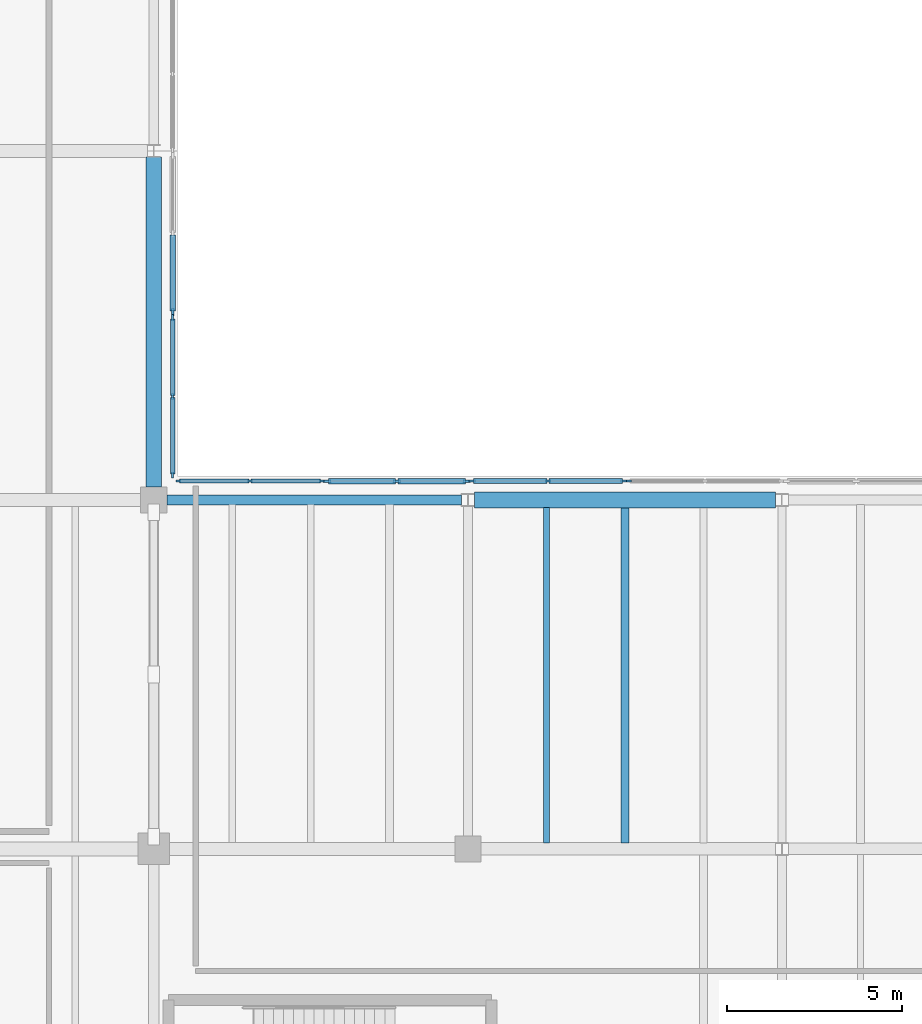
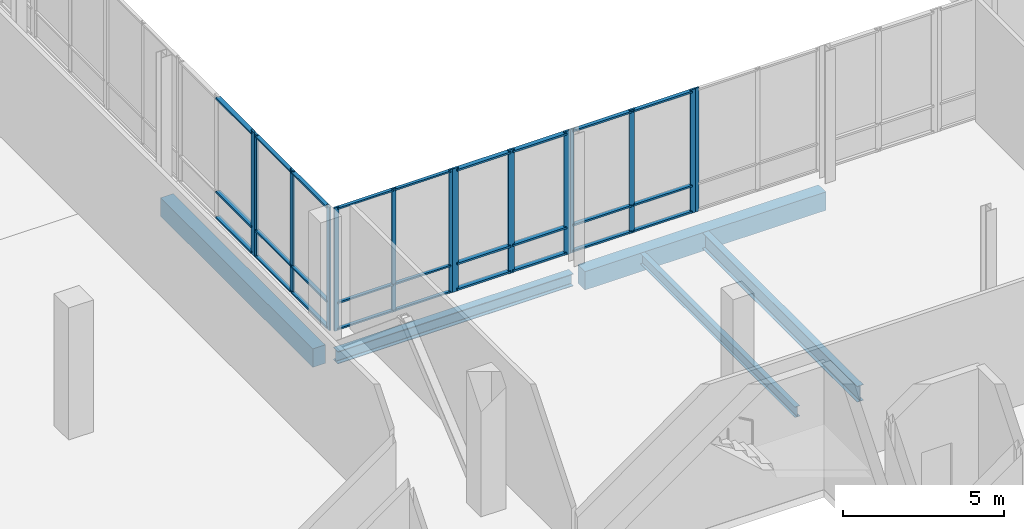
# One storey, part 22 of 81: 41 members, 5 beams, 6 elements without a shape of their own.
"""IFC4 building model written with IfcOpenShell, lengths in metres."""

from ifc_helpers import new_model, si_unit, direction, frame, origin, origin_2d, place, context, subcontext, project, spatial, rectangle, i_section, extrude, material, material_profile, profile_set, type_object, element, aggregate, save


model = new_model("IFC4")

# Units and contexts
model_context = context("Model", 3, precision=1e-05, world=origin(), true_north=direction((0.0, 1.0)))
body_context = subcontext(model_context, "Body", "Model", "MODEL_VIEW")
ifc_project = project(units=[si_unit("LENGTHUNIT", "METRE"), si_unit("AREAUNIT", "SQUARE_METRE"), si_unit("VOLUMEUNIT", "CUBIC_METRE"), si_unit("PLANEANGLEUNIT", "RADIAN"), si_unit("MASSUNIT", "GRAM", prefix="KILO")], contexts=[model_context])

# Site, building, storey
site_placement = place(None, origin())
site = spatial("IfcSite", under=ifc_project, at=site_placement, CompositionType="ELEMENT")
building_placement = place(site_placement, origin())
building = spatial("IfcBuilding", under=site, at=building_placement, Name="Trimount Lyric Opera House", CompositionType="ELEMENT")
storey_placement = place(building_placement, frame((0.0, 0.0, 5.0)))
storey = spatial("IfcBuildingStorey", under=building, at=storey_placement, Name="L01", CompositionType="ELEMENT", Elevation=5.0)

# Beams
ifc_material_1 = material(Name="Steel ASTM A992 Grade 50", Category="steel")
ifc_material_profile_1 = material_profile(ifc_material_1, i_section(OverallWidth=0.22802734375, OverallDepth=0.60205078125, WebThickness=0.010498046875, FlangeThickness=0.014892578125, FilletRadius=0.012939453125, at=origin_2d()), Name="W24X68")
ifc_profile_set_1 = profile_set([ifc_material_profile_1], Name="Steel ASTM A992 Grade 50")
beam_type_1 = type_object("IfcBeamType", Name="J-01", PredefinedType="BEAM", material=ifc_profile_set_1)
beam_1_placement = place(storey_placement, frame((31.5, 64.174072265625, -0.5810546875), z_axis=(0.0, 1.0, 0.0), x_axis=(-1.0, 0.0, 0.0)))
element("IfcBeam", 1, at=beam_1_placement, inside=storey, type_object=beam_type_1, Name="L01 composite floor joist 0613", PredefinedType="BEAM", context=body_context, shape_type="SweptSolid", body=[
    extrude(i_section(OverallWidth=0.22802734375, OverallDepth=0.60205078125, WebThickness=0.010498046875, FlangeThickness=0.014892578125, FilletRadius=0.012939453125, at=origin_2d()), origin(), (0.0, 0.0, 1.0), 9.60498046875),
])
ifc_material_2 = material(Name="Steel ASTM A992 Grade 50", Category="steel")
ifc_material_profile_2 = material_profile(ifc_material_2, i_section(OverallWidth=0.177978515625, OverallDepth=0.404052734375, WebThickness=0.007568359375, FlangeThickness=0.010986328125, FilletRadius=0.010009765625, at=origin_2d()), Name="W16X36")
ifc_profile_set_2 = profile_set([ifc_material_profile_2], Name="Steel ASTM A992 Grade 50")
beam_type_2 = type_object("IfcBeamType", Name="J-06", PredefinedType="BEAM", material=ifc_profile_set_2)
beam_2_placement = place(storey_placement, frame((29.25, 64.174072265625, -0.48193359375), z_axis=(0.0, 1.0, 0.0), x_axis=(-1.0, 0.0, 0.0)))
element("IfcBeam", 2, at=beam_2_placement, inside=storey, type_object=beam_type_2, Name="L01 composite floor joist 0612", PredefinedType="BEAM", context=body_context, shape_type="SweptSolid", body=[
    extrude(i_section(OverallWidth=0.177978515625, OverallDepth=0.404052734375, WebThickness=0.007568359375, FlangeThickness=0.010986328125, FilletRadius=0.010009765625, at=origin_2d()), origin(), (0.0, 0.0, 1.0), 9.60498046875),
])

# Curtain wall, members
ifc_material_3 = material(Name="Thermally Broken Aluminium and Low-E Glass", Category="aluminium")
curtain_wall_type = type_object("IfcCurtainWallType", Name="CW-03", PredefinedType="NOTDEFINED", material=ifc_material_3)
curtain_wall_1_placement = place(storey_placement, origin())
curtain_wall_1 = element("IfcCurtainWall", 3, at=curtain_wall_1_placement, inside=storey, type_object=curtain_wall_type, Name="L01 curtain wall 144", PredefinedType="NOTDEFINED")
ifc_material_4 = material(Name="Anodised Aluminium 6063-T6", Category="aluminium")
ifc_material_profile_3 = material_profile(ifc_material_4, rectangle(XDim=0.070068359375, YDim=0.219970703125, at=origin_2d()), Name="ALU-MULL-70X220")
ifc_profile_set_3 = profile_set([ifc_material_profile_3], Name="Anodised Aluminium 6063-T6")
member_type_1 = type_object("IfcMemberType", Name="ML-01", PredefinedType="MULLION", material=ifc_profile_set_3)
member_1_placement = place(storey_placement, frame((22.965087890625, 74.5400390625, 0.0), z_axis=(0.0, 0.0, 1.0), x_axis=(0.0, 1.0, 0.0)))
member_1 = element("IfcMember", 4, at=member_1_placement, type_object=member_type_1, Name="CW-03 mullion 1", PredefinedType="MULLION", context=body_context, shape_type="SweptSolid", body=[
    extrude(rectangle(XDim=0.070068359375, YDim=0.219970703125, at=origin_2d()), origin(), (0.0, 0.0, 1.0), 4.679931640625),
])
member_2_placement = place(storey_placement, frame((24.965087890625, 74.5400390625, 0.0), z_axis=(0.0, 0.0, 1.0), x_axis=(0.0, 1.0, 0.0)))
member_2 = element("IfcMember", 5, at=member_2_placement, type_object=member_type_1, Name="CW-03 mullion 2", PredefinedType="MULLION", context=body_context, shape_type="SweptSolid", body=[
    extrude(rectangle(XDim=0.070068359375, YDim=0.219970703125, at=origin_2d()), origin(), (0.0, 0.0, 1.0), 4.679931640625),
])
member_3_placement = place(storey_placement, frame((26.965087890625, 74.5400390625, 0.0), z_axis=(0.0, 0.0, 1.0), x_axis=(0.0, 1.0, 0.0)))
member_3 = element("IfcMember", 6, at=member_3_placement, type_object=member_type_1, Name="CW-03 mullion 3", PredefinedType="MULLION", context=body_context, shape_type="SweptSolid", body=[
    extrude(rectangle(XDim=0.070068359375, YDim=0.219970703125, at=origin_2d()), origin(), (0.0, 0.0, 1.0), 4.679931640625),
])

# Curtain wall, member
curtain_wall_2_placement = place(storey_placement, origin())
curtain_wall_2 = element("IfcCurtainWall", 7, at=curtain_wall_2_placement, inside=storey, type_object=curtain_wall_type, Name="L01 curtain wall 165", PredefinedType="NOTDEFINED")
member_4_placement = place(storey_placement, frame((18.5400390625, 79.375, 0.0), z_axis=(0.0, 0.0, 1.0), x_axis=(1.0, 0.0, 0.0)))
member_4 = element("IfcMember", 8, at=member_4_placement, type_object=member_type_1, Name="CW-03 mullion 3", PredefinedType="MULLION", context=body_context, shape_type="SweptSolid", body=[
    extrude(rectangle(XDim=0.070068359375, YDim=0.219970703125, at=origin_2d()), origin(), (0.0, 0.0, 1.0), 4.679931640625),
])

# Curtain wall, members
curtain_wall_3_placement = place(storey_placement, origin())
curtain_wall_3 = element("IfcCurtainWall", 9, at=curtain_wall_3_placement, inside=storey, type_object=curtain_wall_type, Name="L01 curtain wall 145", PredefinedType="NOTDEFINED")
ifc_material_5 = material(Name="Anodised Aluminium 6063-T6", Category="aluminium")
ifc_material_profile_4 = material_profile(ifc_material_5, rectangle(XDim=0.06494140625, YDim=0.179931640625, at=origin_2d()), Name="ALU-MULL-65X180")
ifc_profile_set_4 = profile_set([ifc_material_profile_4], Name="Anodised Aluminium 6063-T6")
member_type_2 = type_object("IfcMemberType", Name="ML-02", PredefinedType="MULLION", material=ifc_profile_set_4)
member_5_placement = place(storey_placement, frame((27.12255859375, 74.5400390625, 0.0), z_axis=(0.0, 0.0, 1.0), x_axis=(0.0, 1.0, 0.0)))
member_5 = element("IfcMember", 10, at=member_5_placement, type_object=member_type_2, Name="CW-03 mullion 1", PredefinedType="MULLION", context=body_context, shape_type="SweptSolid", body=[
    extrude(rectangle(XDim=0.06494140625, YDim=0.179931640625, at=origin_2d()), origin(), (0.0, 0.0, 1.0), 4.679931640625),
])
member_6_placement = place(storey_placement, frame((29.294921875, 74.5400390625, 0.0), z_axis=(0.0, 0.0, 1.0), x_axis=(0.0, 1.0, 0.0)))
member_6 = element("IfcMember", 11, at=member_6_placement, type_object=member_type_2, Name="CW-03 mullion 2", PredefinedType="MULLION", context=body_context, shape_type="SweptSolid", body=[
    extrude(rectangle(XDim=0.06494140625, YDim=0.179931640625, at=origin_2d()), origin(), (0.0, 0.0, 1.0), 4.679931640625),
])
member_7_placement = place(storey_placement, frame((31.467529296875, 74.5400390625, 0.0), z_axis=(0.0, 0.0, 1.0), x_axis=(0.0, 1.0, 0.0)))
member_7 = element("IfcMember", 12, at=member_7_placement, type_object=member_type_2, Name="CW-03 mullion 3", PredefinedType="MULLION", context=body_context, shape_type="SweptSolid", body=[
    extrude(rectangle(XDim=0.06494140625, YDim=0.179931640625, at=origin_2d()), origin(), (0.0, 0.0, 1.0), 4.679931640625),
])

curtain_wall_4_placement = place(storey_placement, origin())
curtain_wall_4 = element("IfcCurtainWall", 13, at=curtain_wall_4_placement, inside=storey, type_object=curtain_wall_type, Name="L01 curtain wall 166", PredefinedType="NOTDEFINED")
member_8_placement = place(storey_placement, frame((18.5400390625, 79.217529296875, 0.0), z_axis=(0.0, 0.0, 1.0), x_axis=(1.0, 0.0, 0.0)))
member_8 = element("IfcMember", 14, at=member_8_placement, type_object=member_type_2, Name="CW-03 mullion 1", PredefinedType="MULLION", context=body_context, shape_type="SweptSolid", body=[
    extrude(rectangle(XDim=0.06494140625, YDim=0.179931640625, at=origin_2d()), origin(), (0.0, 0.0, 1.0), 4.679931640625),
])
member_9_placement = place(storey_placement, frame((18.5400390625, 76.965087890625, 0.0), z_axis=(0.0, 0.0, 1.0), x_axis=(1.0, 0.0, 0.0)))
member_9 = element("IfcMember", 15, at=member_9_placement, type_object=member_type_2, Name="CW-03 mullion 2", PredefinedType="MULLION", context=body_context, shape_type="SweptSolid", body=[
    extrude(rectangle(XDim=0.06494140625, YDim=0.179931640625, at=origin_2d()), origin(), (0.0, 0.0, 1.0), 4.679931640625),
])
member_10_placement = place(storey_placement, frame((18.5400390625, 74.71240234375, 0.0), z_axis=(0.0, 0.0, 1.0), x_axis=(1.0, 0.0, 0.0)))
member_10 = element("IfcMember", 16, at=member_10_placement, type_object=member_type_2, Name="CW-03 mullion 3", PredefinedType="MULLION", context=body_context, shape_type="SweptSolid", body=[
    extrude(rectangle(XDim=0.06494140625, YDim=0.179931640625, at=origin_2d()), origin(), (0.0, 0.0, 1.0), 4.679931640625),
])

curtain_wall_5_placement = place(storey_placement, origin())
curtain_wall_5 = element("IfcCurtainWall", 17, at=curtain_wall_5_placement, inside=storey, type_object=curtain_wall_type, Name="L01 curtain wall 143", PredefinedType="NOTDEFINED")
ifc_material_6 = material(Name="Anodised Aluminium 6063-T6", Category="aluminium")
ifc_material_profile_5 = material_profile(ifc_material_6, rectangle(XDim=0.06005859375, YDim=0.14990234375, at=origin_2d()), Name="ALU-MULL-60X150")
ifc_profile_set_5 = profile_set([ifc_material_profile_5], Name="Anodised Aluminium 6063-T6")
member_type_3 = type_object("IfcMemberType", Name="ML-03", PredefinedType="MULLION", material=ifc_profile_set_5)
member_11_placement = place(storey_placement, frame((18.7099609375, 74.5400390625, 0.0), z_axis=(0.0, 0.0, 1.0), x_axis=(0.0, 1.0, 0.0)))
member_11 = element("IfcMember", 18, at=member_11_placement, type_object=member_type_3, Name="CW-03 mullion 1", PredefinedType="MULLION", context=body_context, shape_type="SweptSolid", body=[
    extrude(rectangle(XDim=0.06005859375, YDim=0.14990234375, at=origin_2d()), origin(), (0.0, 0.0, 1.0), 4.679931640625),
])
member_12_placement = place(storey_placement, frame((20.760009765625, 74.5400390625, 0.0), z_axis=(0.0, 0.0, 1.0), x_axis=(0.0, 1.0, 0.0)))
member_12 = element("IfcMember", 19, at=member_12_placement, type_object=member_type_3, Name="CW-03 mullion 2", PredefinedType="MULLION", context=body_context, shape_type="SweptSolid", body=[
    extrude(rectangle(XDim=0.06005859375, YDim=0.14990234375, at=origin_2d()), origin(), (0.0, 0.0, 1.0), 4.679931640625),
])
member_13_placement = place(storey_placement, frame((22.81005859375, 74.5400390625, 0.0), z_axis=(0.0, 0.0, 1.0), x_axis=(0.0, 1.0, 0.0)))
member_13 = element("IfcMember", 20, at=member_13_placement, type_object=member_type_3, Name="CW-03 mullion 3", PredefinedType="MULLION", context=body_context, shape_type="SweptSolid", body=[
    extrude(rectangle(XDim=0.06005859375, YDim=0.14990234375, at=origin_2d()), origin(), (0.0, 0.0, 1.0), 4.679931640625),
])

# Curtain wall, member
curtain_wall_6_placement = place(storey_placement, origin())
curtain_wall_6 = element("IfcCurtainWall", 21, at=curtain_wall_6_placement, inside=storey, type_object=curtain_wall_type, Name="L01 curtain wall 146", PredefinedType="NOTDEFINED")
member_14_placement = place(storey_placement, frame((31.6201171875, 74.5400390625, 0.0), z_axis=(0.0, 0.0, 1.0), x_axis=(0.0, 1.0, 0.0)))
member_14 = element("IfcMember", 22, at=member_14_placement, type_object=member_type_3, Name="CW-03 mullion 1", PredefinedType="MULLION", context=body_context, shape_type="SweptSolid", body=[
    extrude(rectangle(XDim=0.06005859375, YDim=0.14990234375, at=origin_2d()), origin(), (0.0, 0.0, 1.0), 4.679931640625),
])
aggregate(curtain_wall_6, [member_14])

# Beams
ifc_material_7 = material(Name="Steel ASTM A992 Grade 50", Category="steel")
ifc_material_profile_6 = material_profile(ifc_material_7, i_section(OverallWidth=0.281982421875, OverallDepth=0.467041015625, WebThickness=0.01220703125, FlangeThickness=0.01953125, FilletRadius=0.012939453125, at=origin_2d()), Name="W18X86")
ifc_profile_set_6 = profile_set([ifc_material_profile_6], Name="Steel ASTM A992 Grade 50")
beam_type_3 = type_object("IfcBeamType", Name="SP-01", PredefinedType="SPANDREL", material=ifc_profile_set_6)
beam_3_placement = place(storey_placement, frame((18.375, 74.0, -0.513427734375), z_axis=(1.0, 0.0, 0.0), x_axis=(0.0, 1.0, 0.0)))
element("IfcBeam", 23, at=beam_3_placement, inside=storey, type_object=beam_type_3, Name="L01 girder X-0522", PredefinedType="SPANDREL", context=body_context, shape_type="SweptSolid", body=[
    extrude(i_section(OverallWidth=0.281982421875, OverallDepth=0.467041015625, WebThickness=0.01220703125, FlangeThickness=0.01953125, FilletRadius=0.012939453125, at=origin_2d()), origin(), (0.0, 0.0, 1.0), 8.44091796875),
])
ifc_material_8 = material(Name="Concrete C40/50", Category="concrete")
ifc_material_profile_7 = material_profile(ifc_material_8, rectangle(XDim=0.449951171875, YDim=0.699951171875, at=origin_2d()), Name="RC450X700")
ifc_profile_set_7 = profile_set([ifc_material_profile_7], Name="Concrete C40/50")
beam_type_4 = type_object("IfcBeamType", Name="SP-02", PredefinedType="SPANDREL", material=ifc_profile_set_7)
beam_4_placement = place(storey_placement, frame((27.18408203125, 74.0, -0.6298828125), z_axis=(1.0, 0.0, 0.0), x_axis=(0.0, 1.0, 0.0)))
element("IfcBeam", 24, at=beam_4_placement, inside=storey, type_object=beam_type_4, Name="L01 girder X-0523", PredefinedType="SPANDREL", context=body_context, shape_type="SweptSolid", body=[
    extrude(rectangle(XDim=0.449951171875, YDim=0.699951171875, at=origin_2d()), origin(), (0.0, 0.0, 1.0), 8.62939453125),
])
beam_5_placement = place(storey_placement, frame((18.0, 74.375, -0.6298828125), z_axis=(0.0, 1.0, 0.0), x_axis=(-1.0, 0.0, 0.0)))
element("IfcBeam", 25, at=beam_5_placement, inside=storey, type_object=beam_type_4, Name="L01 girder Y-0614", PredefinedType="SPANDREL", context=body_context, shape_type="SweptSolid", body=[
    extrude(rectangle(XDim=0.449951171875, YDim=0.699951171875, at=origin_2d()), origin(), (0.0, 0.0, 1.0), 9.447021484375),
])

# Member
ifc_material_9 = material(Name="Anodised Aluminium 6063-T6", Category="aluminium")
ifc_material_profile_8 = material_profile(ifc_material_9, rectangle(XDim=0.159912109375, YDim=0.070068359375, at=origin_2d()), Name="ALU-TRAN-70X160")
ifc_profile_set_8 = profile_set([ifc_material_profile_8], Name="Anodised Aluminium 6063-T6")
member_type_4 = type_object("IfcMemberType", Name="TR-01", PredefinedType="USERDEFINED", material=ifc_profile_set_8)
member_15_placement = place(storey_placement, frame((23.0, 74.5400390625, 0.080078125), z_axis=(1.0, 0.0, 0.0), x_axis=(0.0, 1.0, 0.0)))
member_15 = element("IfcMember", 26, at=member_15_placement, type_object=member_type_4, Name="CW-03 transom 1.1", ObjectType="TRANSOM", PredefinedType="USERDEFINED", context=body_context, shape_type="SweptSolid", body=[
    extrude(rectangle(XDim=0.159912109375, YDim=0.070068359375, at=origin_2d()), origin(), (0.0, 0.0, 1.0), 1.929931640625),
])

member_16_placement = place(storey_placement, frame((23.0, 74.5400390625, 1.050048828125), z_axis=(1.0, 0.0, 0.0), x_axis=(0.0, 1.0, 0.0)))
member_16 = element("IfcMember", 27, at=member_16_placement, type_object=member_type_4, Name="CW-03 transom 1.2", ObjectType="TRANSOM", PredefinedType="USERDEFINED", context=body_context, shape_type="SweptSolid", body=[
    extrude(rectangle(XDim=0.159912109375, YDim=0.070068359375, at=origin_2d()), origin(), (0.0, 0.0, 1.0), 1.929931640625),
])

member_17_placement = place(storey_placement, frame((23.0, 74.5400390625, 4.60009765625), z_axis=(1.0, 0.0, 0.0), x_axis=(0.0, 1.0, 0.0)))
member_17 = element("IfcMember", 28, at=member_17_placement, type_object=member_type_4, Name="CW-03 transom 1.3", ObjectType="TRANSOM", PredefinedType="USERDEFINED", context=body_context, shape_type="SweptSolid", body=[
    extrude(rectangle(XDim=0.159912109375, YDim=0.070068359375, at=origin_2d()), origin(), (0.0, 0.0, 1.0), 1.929931640625),
])

member_18_placement = place(storey_placement, frame((25.0, 74.5400390625, 0.080078125), z_axis=(1.0, 0.0, 0.0), x_axis=(0.0, 1.0, 0.0)))
member_18 = element("IfcMember", 29, at=member_18_placement, type_object=member_type_4, Name="CW-03 transom 2.1", ObjectType="TRANSOM", PredefinedType="USERDEFINED", context=body_context, shape_type="SweptSolid", body=[
    extrude(rectangle(XDim=0.159912109375, YDim=0.070068359375, at=origin_2d()), origin(), (0.0, 0.0, 1.0), 1.929931640625),
])

member_19_placement = place(storey_placement, frame((25.0, 74.5400390625, 1.050048828125), z_axis=(1.0, 0.0, 0.0), x_axis=(0.0, 1.0, 0.0)))
member_19 = element("IfcMember", 30, at=member_19_placement, type_object=member_type_4, Name="CW-03 transom 2.2", ObjectType="TRANSOM", PredefinedType="USERDEFINED", context=body_context, shape_type="SweptSolid", body=[
    extrude(rectangle(XDim=0.159912109375, YDim=0.070068359375, at=origin_2d()), origin(), (0.0, 0.0, 1.0), 1.929931640625),
])

member_20_placement = place(storey_placement, frame((25.0, 74.5400390625, 4.60009765625), z_axis=(1.0, 0.0, 0.0), x_axis=(0.0, 1.0, 0.0)))
member_20 = element("IfcMember", 31, at=member_20_placement, type_object=member_type_4, Name="CW-03 transom 2.3", ObjectType="TRANSOM", PredefinedType="USERDEFINED", context=body_context, shape_type="SweptSolid", body=[
    extrude(rectangle(XDim=0.159912109375, YDim=0.070068359375, at=origin_2d()), origin(), (0.0, 0.0, 1.0), 1.929931640625),
])

aggregate(curtain_wall_1, [member_1, member_2, member_3, member_15, member_16, member_17, member_18, member_19, member_20])

member_21_placement = place(storey_placement, frame((18.5400390625, 81.590087890625, 0.080078125), z_axis=(0.0, -1.0, 0.0), x_axis=(1.0, 0.0, 0.0)))
member_21 = element("IfcMember", 32, at=member_21_placement, type_object=member_type_4, Name="CW-03 transom 2.1", ObjectType="TRANSOM", PredefinedType="USERDEFINED", context=body_context, shape_type="SweptSolid", body=[
    extrude(rectangle(XDim=0.159912109375, YDim=0.070068359375, at=origin_2d()), origin(), (0.0, 0.0, 1.0), 2.18017578125),
])

member_22_placement = place(storey_placement, frame((18.5400390625, 81.590087890625, 1.050048828125), z_axis=(0.0, -1.0, 0.0), x_axis=(1.0, 0.0, 0.0)))
member_22 = element("IfcMember", 33, at=member_22_placement, type_object=member_type_4, Name="CW-03 transom 2.2", ObjectType="TRANSOM", PredefinedType="USERDEFINED", context=body_context, shape_type="SweptSolid", body=[
    extrude(rectangle(XDim=0.159912109375, YDim=0.070068359375, at=origin_2d()), origin(), (0.0, 0.0, 1.0), 2.18017578125),
])

member_23_placement = place(storey_placement, frame((18.5400390625, 81.590087890625, 4.60009765625), z_axis=(0.0, -1.0, 0.0), x_axis=(1.0, 0.0, 0.0)))
member_23 = element("IfcMember", 34, at=member_23_placement, type_object=member_type_4, Name="CW-03 transom 2.3", ObjectType="TRANSOM", PredefinedType="USERDEFINED", context=body_context, shape_type="SweptSolid", body=[
    extrude(rectangle(XDim=0.159912109375, YDim=0.070068359375, at=origin_2d()), origin(), (0.0, 0.0, 1.0), 2.18017578125),
])

aggregate(curtain_wall_2, [member_4, member_21, member_22, member_23])

ifc_material_10 = material(Name="Anodised Aluminium 6063-T6", Category="aluminium")
ifc_material_profile_9 = material_profile(ifc_material_10, rectangle(XDim=0.135009765625, YDim=0.06494140625, at=origin_2d()), Name="ALU-TRAN-65X135")
ifc_profile_set_9 = profile_set([ifc_material_profile_9], Name="Anodised Aluminium 6063-T6")
member_type_5 = type_object("IfcMemberType", Name="TR-02", PredefinedType="USERDEFINED", material=ifc_profile_set_9)
member_24_placement = place(storey_placement, frame((27.155029296875, 74.5400390625, 0.0673828125), z_axis=(1.0, 0.0, 0.0), x_axis=(0.0, 1.0, 0.0)))
member_24 = element("IfcMember", 35, at=member_24_placement, type_object=member_type_5, Name="CW-03 transom 1.1", ObjectType="TRANSOM", PredefinedType="USERDEFINED", context=body_context, shape_type="SweptSolid", body=[
    extrude(rectangle(XDim=0.135009765625, YDim=0.06494140625, at=origin_2d()), origin(), (0.0, 0.0, 1.0), 2.107421875),
])

member_25_placement = place(storey_placement, frame((27.155029296875, 74.5400390625, 1.050048828125), z_axis=(1.0, 0.0, 0.0), x_axis=(0.0, 1.0, 0.0)))
member_25 = element("IfcMember", 36, at=member_25_placement, type_object=member_type_5, Name="CW-03 transom 1.2", ObjectType="TRANSOM", PredefinedType="USERDEFINED", context=body_context, shape_type="SweptSolid", body=[
    extrude(rectangle(XDim=0.135009765625, YDim=0.06494140625, at=origin_2d()), origin(), (0.0, 0.0, 1.0), 2.107421875),
])

member_26_placement = place(storey_placement, frame((27.155029296875, 74.5400390625, 4.612548828125), z_axis=(1.0, 0.0, 0.0), x_axis=(0.0, 1.0, 0.0)))
member_26 = element("IfcMember", 37, at=member_26_placement, type_object=member_type_5, Name="CW-03 transom 1.3", ObjectType="TRANSOM", PredefinedType="USERDEFINED", context=body_context, shape_type="SweptSolid", body=[
    extrude(rectangle(XDim=0.135009765625, YDim=0.06494140625, at=origin_2d()), origin(), (0.0, 0.0, 1.0), 2.107421875),
])

member_27_placement = place(storey_placement, frame((29.327392578125, 74.5400390625, 0.0673828125), z_axis=(1.0, 0.0, 0.0), x_axis=(0.0, 1.0, 0.0)))
member_27 = element("IfcMember", 38, at=member_27_placement, type_object=member_type_5, Name="CW-03 transom 2.1", ObjectType="TRANSOM", PredefinedType="USERDEFINED", context=body_context, shape_type="SweptSolid", body=[
    extrude(rectangle(XDim=0.135009765625, YDim=0.06494140625, at=origin_2d()), origin(), (0.0, 0.0, 1.0), 2.107666015625),
])

member_28_placement = place(storey_placement, frame((29.327392578125, 74.5400390625, 1.050048828125), z_axis=(1.0, 0.0, 0.0), x_axis=(0.0, 1.0, 0.0)))
member_28 = element("IfcMember", 39, at=member_28_placement, type_object=member_type_5, Name="CW-03 transom 2.2", ObjectType="TRANSOM", PredefinedType="USERDEFINED", context=body_context, shape_type="SweptSolid", body=[
    extrude(rectangle(XDim=0.135009765625, YDim=0.06494140625, at=origin_2d()), origin(), (0.0, 0.0, 1.0), 2.107666015625),
])

member_29_placement = place(storey_placement, frame((29.327392578125, 74.5400390625, 4.612548828125), z_axis=(1.0, 0.0, 0.0), x_axis=(0.0, 1.0, 0.0)))
member_29 = element("IfcMember", 40, at=member_29_placement, type_object=member_type_5, Name="CW-03 transom 2.3", ObjectType="TRANSOM", PredefinedType="USERDEFINED", context=body_context, shape_type="SweptSolid", body=[
    extrude(rectangle(XDim=0.135009765625, YDim=0.06494140625, at=origin_2d()), origin(), (0.0, 0.0, 1.0), 2.107666015625),
])

aggregate(curtain_wall_3, [member_5, member_6, member_7, member_24, member_25, member_26, member_27, member_28, member_29])

member_30_placement = place(storey_placement, frame((18.5400390625, 79.18505859375, 0.0673828125), z_axis=(0.0, -1.0, 0.0), x_axis=(1.0, 0.0, 0.0)))
member_30 = element("IfcMember", 41, at=member_30_placement, type_object=member_type_5, Name="CW-03 transom 1.1", ObjectType="TRANSOM", PredefinedType="USERDEFINED", context=body_context, shape_type="SweptSolid", body=[
    extrude(rectangle(XDim=0.135009765625, YDim=0.06494140625, at=origin_2d()), origin(), (0.0, 0.0, 1.0), 2.1875),
])

member_31_placement = place(storey_placement, frame((18.5400390625, 79.18505859375, 1.050048828125), z_axis=(0.0, -1.0, 0.0), x_axis=(1.0, 0.0, 0.0)))
member_31 = element("IfcMember", 42, at=member_31_placement, type_object=member_type_5, Name="CW-03 transom 1.2", ObjectType="TRANSOM", PredefinedType="USERDEFINED", context=body_context, shape_type="SweptSolid", body=[
    extrude(rectangle(XDim=0.135009765625, YDim=0.06494140625, at=origin_2d()), origin(), (0.0, 0.0, 1.0), 2.1875),
])

member_32_placement = place(storey_placement, frame((18.5400390625, 79.18505859375, 4.612548828125), z_axis=(0.0, -1.0, 0.0), x_axis=(1.0, 0.0, 0.0)))
member_32 = element("IfcMember", 43, at=member_32_placement, type_object=member_type_5, Name="CW-03 transom 1.3", ObjectType="TRANSOM", PredefinedType="USERDEFINED", context=body_context, shape_type="SweptSolid", body=[
    extrude(rectangle(XDim=0.135009765625, YDim=0.06494140625, at=origin_2d()), origin(), (0.0, 0.0, 1.0), 2.1875),
])

member_33_placement = place(storey_placement, frame((18.5400390625, 76.9326171875, 0.0673828125), z_axis=(0.0, -1.0, 0.0), x_axis=(1.0, 0.0, 0.0)))
member_33 = element("IfcMember", 44, at=member_33_placement, type_object=member_type_5, Name="CW-03 transom 2.1", ObjectType="TRANSOM", PredefinedType="USERDEFINED", context=body_context, shape_type="SweptSolid", body=[
    extrude(rectangle(XDim=0.135009765625, YDim=0.06494140625, at=origin_2d()), origin(), (0.0, 0.0, 1.0), 2.1875),
])

member_34_placement = place(storey_placement, frame((18.5400390625, 76.9326171875, 1.050048828125), z_axis=(0.0, -1.0, 0.0), x_axis=(1.0, 0.0, 0.0)))
member_34 = element("IfcMember", 45, at=member_34_placement, type_object=member_type_5, Name="CW-03 transom 2.2", ObjectType="TRANSOM", PredefinedType="USERDEFINED", context=body_context, shape_type="SweptSolid", body=[
    extrude(rectangle(XDim=0.135009765625, YDim=0.06494140625, at=origin_2d()), origin(), (0.0, 0.0, 1.0), 2.1875),
])

member_35_placement = place(storey_placement, frame((18.5400390625, 76.9326171875, 4.612548828125), z_axis=(0.0, -1.0, 0.0), x_axis=(1.0, 0.0, 0.0)))
member_35 = element("IfcMember", 46, at=member_35_placement, type_object=member_type_5, Name="CW-03 transom 2.3", ObjectType="TRANSOM", PredefinedType="USERDEFINED", context=body_context, shape_type="SweptSolid", body=[
    extrude(rectangle(XDim=0.135009765625, YDim=0.06494140625, at=origin_2d()), origin(), (0.0, 0.0, 1.0), 2.1875),
])

aggregate(curtain_wall_4, [member_8, member_9, member_10, member_30, member_31, member_32, member_33, member_34, member_35])

ifc_material_11 = material(Name="Anodised Aluminium 6063-T6", Category="aluminium")
ifc_material_profile_10 = material_profile(ifc_material_11, rectangle(XDim=0.114990234375, YDim=0.06005859375, at=origin_2d()), Name="ALU-TRAN-60X115")
ifc_profile_set_10 = profile_set([ifc_material_profile_10], Name="Anodised Aluminium 6063-T6")
member_type_6 = type_object("IfcMemberType", Name="TR-03", PredefinedType="USERDEFINED", material=ifc_profile_set_10)
member_36_placement = place(storey_placement, frame((18.739990234375, 74.5400390625, 0.0576171875), z_axis=(1.0, 0.0, 0.0), x_axis=(0.0, 1.0, 0.0)))
member_36 = element("IfcMember", 47, at=member_36_placement, type_object=member_type_6, Name="CW-03 transom 1.1", ObjectType="TRANSOM", PredefinedType="USERDEFINED", context=body_context, shape_type="SweptSolid", body=[
    extrude(rectangle(XDim=0.114990234375, YDim=0.06005859375, at=origin_2d()), origin(), (0.0, 0.0, 1.0), 1.989990234375),
])

member_37_placement = place(storey_placement, frame((18.739990234375, 74.5400390625, 1.050048828125), z_axis=(1.0, 0.0, 0.0), x_axis=(0.0, 1.0, 0.0)))
member_37 = element("IfcMember", 48, at=member_37_placement, type_object=member_type_6, Name="CW-03 transom 1.2", ObjectType="TRANSOM", PredefinedType="USERDEFINED", context=body_context, shape_type="SweptSolid", body=[
    extrude(rectangle(XDim=0.114990234375, YDim=0.06005859375, at=origin_2d()), origin(), (0.0, 0.0, 1.0), 1.989990234375),
])

member_38_placement = place(storey_placement, frame((18.739990234375, 74.5400390625, 4.62255859375), z_axis=(1.0, 0.0, 0.0), x_axis=(0.0, 1.0, 0.0)))
member_38 = element("IfcMember", 49, at=member_38_placement, type_object=member_type_6, Name="CW-03 transom 1.3", ObjectType="TRANSOM", PredefinedType="USERDEFINED", context=body_context, shape_type="SweptSolid", body=[
    extrude(rectangle(XDim=0.114990234375, YDim=0.06005859375, at=origin_2d()), origin(), (0.0, 0.0, 1.0), 1.989990234375),
])

member_39_placement = place(storey_placement, frame((20.7900390625, 74.5400390625, 0.0576171875), z_axis=(1.0, 0.0, 0.0), x_axis=(0.0, 1.0, 0.0)))
member_39 = element("IfcMember", 50, at=member_39_placement, type_object=member_type_6, Name="CW-03 transom 2.1", ObjectType="TRANSOM", PredefinedType="USERDEFINED", context=body_context, shape_type="SweptSolid", body=[
    extrude(rectangle(XDim=0.114990234375, YDim=0.06005859375, at=origin_2d()), origin(), (0.0, 0.0, 1.0), 1.989990234375),
])

member_40_placement = place(storey_placement, frame((20.7900390625, 74.5400390625, 1.050048828125), z_axis=(1.0, 0.0, 0.0), x_axis=(0.0, 1.0, 0.0)))
member_40 = element("IfcMember", 51, at=member_40_placement, type_object=member_type_6, Name="CW-03 transom 2.2", ObjectType="TRANSOM", PredefinedType="USERDEFINED", context=body_context, shape_type="SweptSolid", body=[
    extrude(rectangle(XDim=0.114990234375, YDim=0.06005859375, at=origin_2d()), origin(), (0.0, 0.0, 1.0), 1.989990234375),
])

member_41_placement = place(storey_placement, frame((20.7900390625, 74.5400390625, 4.62255859375), z_axis=(1.0, 0.0, 0.0), x_axis=(0.0, 1.0, 0.0)))
member_41 = element("IfcMember", 52, at=member_41_placement, type_object=member_type_6, Name="CW-03 transom 2.3", ObjectType="TRANSOM", PredefinedType="USERDEFINED", context=body_context, shape_type="SweptSolid", body=[
    extrude(rectangle(XDim=0.114990234375, YDim=0.06005859375, at=origin_2d()), origin(), (0.0, 0.0, 1.0), 1.989990234375),
])

aggregate(curtain_wall_5, [member_11, member_12, member_13, member_36, member_37, member_38, member_39, member_40, member_41])

save(model, "model.ifc")
